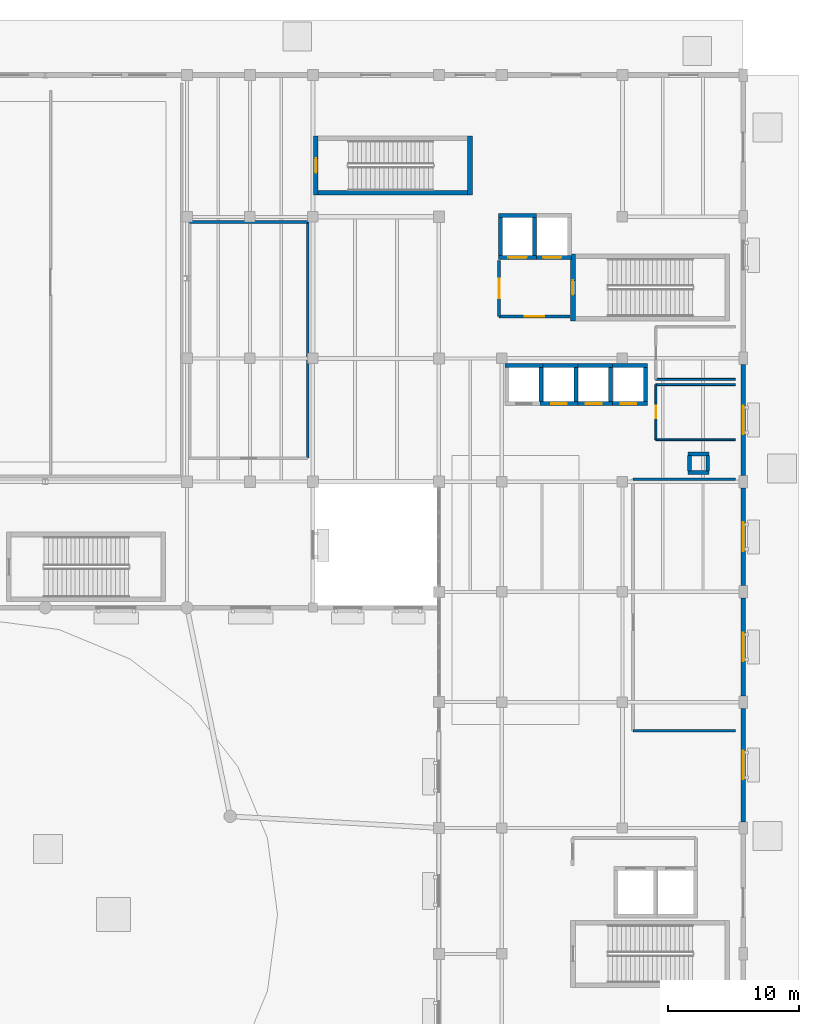
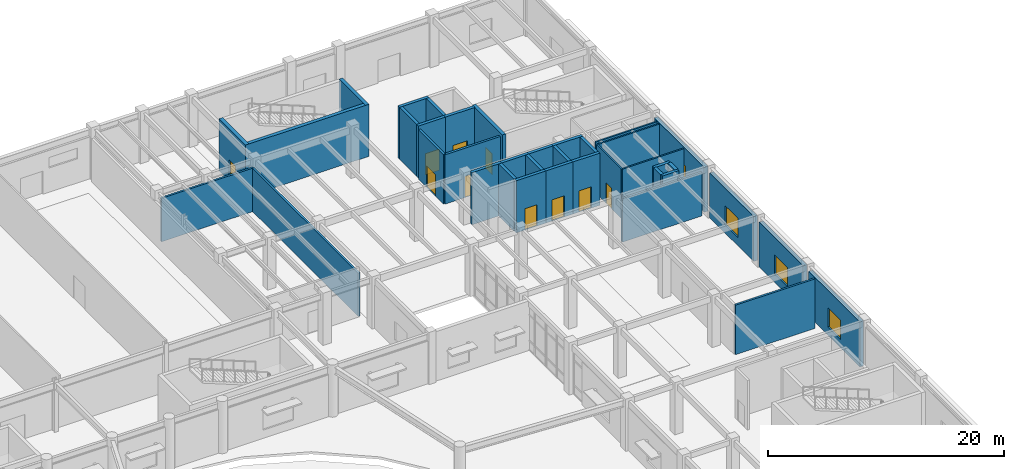
# One storey, part 35 of 54: 38 walls, 10 doors, 4 windows, 14 openings.
"""IFC4 building model written with IfcOpenShell, lengths in metres."""

from ifc_helpers import new_model, si_unit, direction, frame, frame_2d, origin, place, context, subcontext, project, spatial, rectangle, extrude, material, layer, layer_set, type_object, element, fill, save


model = new_model("IFC4")

# Units and contexts
model_context = context("Model", 3, precision=1e-05, world=origin(), true_north=direction((0.0, 1.0)))
body_context = subcontext(model_context, "Body", "Model", "MODEL_VIEW")
ifc_project = project(units=[si_unit("LENGTHUNIT", "METRE"), si_unit("AREAUNIT", "SQUARE_METRE"), si_unit("VOLUMEUNIT", "CUBIC_METRE"), si_unit("PLANEANGLEUNIT", "RADIAN"), si_unit("MASSUNIT", "GRAM", prefix="KILO")], contexts=[model_context])

# Site, building, storey
site_placement = place(None, origin())
site = spatial("IfcSite", under=ifc_project, at=site_placement, CompositionType="ELEMENT")
building_placement = place(site_placement, origin())
building = spatial("IfcBuilding", under=site, at=building_placement, Name="Veldera Park Congress Hotel", CompositionType="ELEMENT")
storey_placement = place(building_placement, origin())
storey = spatial("IfcBuildingStorey", under=building, at=storey_placement, Name="L00", CompositionType="ELEMENT", Elevation=0.0)

# Wall, opening, window
ifc_material_1 = material(Name="Architectural Sandstone Cladding (ASTM C616)", Category="masonry")
ifc_layer_1 = layer(ifc_material_1, 0.360107421875)
ifc_layer_set_1 = layer_set([ifc_layer_1], Name="Architectural Sandstone Cladding (ASTM C616)")
wall_type_1 = type_object("IfcWallType", Name="EW-STONE360", PredefinedType="STANDARD", material=ifc_layer_set_1)
wall_1_placement = place(storey_placement, frame((84.0, 1.072998046875, 0.0), z_axis=(0.0, 0.0, 1.0), x_axis=(0.0, 1.0, 0.0)))
wall_1 = element("IfcWall", 1, at=wall_1_placement, inside=storey, type_object=wall_type_1, Name="L00 Exterior Wall EW3-L00-0122", PredefinedType="STANDARD", context=body_context, shape_type="SweptSolid", body=[
    extrude(rectangle(XDim=8.654052734375, YDim=0.360107421875, at=frame_2d((4.3271484375, 0.0))), origin(), (0.0, 0.0, 1.0), 4.652099609375),
])
opening_1_placement = place(wall_1_placement, frame((3.22705078125, 0.0, 0.85009765625)))
opening_1 = element("IfcOpeningElement", 2, at=opening_1_placement, cuts=wall_1, Name="Opening WIN-2200", PredefinedType="OPENING", context=body_context, shape_type="SweptSolid", body=[
    extrude(rectangle(XDim=2.199951171875, YDim=2.0, at=frame_2d((1.10009765625, 1.0))), frame((0.0, 0.192138671875, 0.0), z_axis=(0.0, -1.0, 0.0), x_axis=(1.0, 0.0, 0.0)), (0.0, 0.0, 1.0), 0.384033203125),
])
ifc_material_2 = material(Name="Low-E Triple Insulating Glass Unit (SHGC 0.22)", Category="glass")
window_type = type_object("IfcWindowType", Name="WIN-2200", PartitioningType="DOUBLE_PANEL_VERTICAL", PredefinedType="WINDOW", material=ifc_material_2)
window_1_placement = place(opening_1_placement, origin())
window_1 = element("IfcWindow", 3, at=window_1_placement, inside=storey, type_object=window_type, Name="L00 Window WIN-2200 131", OverallHeight=2.0, OverallWidth=2.199951171875, PartitioningType="DOUBLE_PANEL_VERTICAL", PredefinedType="WINDOW", context=body_context, shape_type="SweptSolid", body=[
    extrude(rectangle(XDim=2.199951171875, YDim=2.0, at=frame_2d((1.10009765625, 1.0))), frame((0.0, 0.030029296875, 0.0), z_axis=(0.0, -1.0, 0.0), x_axis=(1.0, 0.0, 0.0)), (0.0, 0.0, 1.0), 0.06005859375),
])
fill(opening_1, window_1)

wall_2_placement = place(storey_placement, frame((84.0, 10.673095703125, 0.0), z_axis=(0.0, 0.0, 1.0), x_axis=(0.0, 1.0, 0.0)))
wall_2 = element("IfcWall", 4, at=wall_2_placement, inside=storey, type_object=wall_type_1, Name="L00 Exterior Wall EW3-L00-0123", PredefinedType="STANDARD", context=body_context, shape_type="SweptSolid", body=[
    extrude(rectangle(XDim=7.453857421875, YDim=0.360107421875, at=frame_2d((3.72705078125, 0.0))), origin(), (0.0, 0.0, 1.0), 4.652099609375),
])
opening_2_placement = place(wall_2_placement, frame((2.626953125, 0.0, 0.85009765625)))
opening_2 = element("IfcOpeningElement", 5, at=opening_2_placement, cuts=wall_2, Name="Opening WIN-2200", PredefinedType="OPENING", context=body_context, shape_type="SweptSolid", body=[
    extrude(rectangle(XDim=2.199951171875, YDim=2.0, at=frame_2d((1.10009765625, 1.0))), frame((0.0, 0.192138671875, 0.0), z_axis=(0.0, -1.0, 0.0), x_axis=(1.0, 0.0, 0.0)), (0.0, 0.0, 1.0), 0.384033203125),
])
window_2_placement = place(opening_2_placement, origin())
window_2 = element("IfcWindow", 6, at=window_2_placement, inside=storey, type_object=window_type, Name="L00 Window WIN-2200 132", OverallHeight=2.0, OverallWidth=2.199951171875, PartitioningType="DOUBLE_PANEL_VERTICAL", PredefinedType="WINDOW", context=body_context, shape_type="SweptSolid", body=[
    extrude(rectangle(XDim=2.199951171875, YDim=2.0, at=frame_2d((1.10009765625, 1.0))), frame((0.0, 0.030029296875, 0.0), z_axis=(0.0, -1.0, 0.0), x_axis=(1.0, 0.0, 0.0)), (0.0, 0.0, 1.0), 0.06005859375),
])
fill(opening_2, window_2)

wall_3_placement = place(storey_placement, frame((84.0, 19.072998046875, 0.0), z_axis=(0.0, 0.0, 1.0), x_axis=(0.0, 1.0, 0.0)))
wall_3 = element("IfcWall", 7, at=wall_3_placement, inside=storey, type_object=wall_type_1, Name="L00 Exterior Wall EW3-L00-0124", PredefinedType="STANDARD", context=body_context, shape_type="SweptSolid", body=[
    extrude(rectangle(XDim=7.4541015625, YDim=0.360107421875, at=frame_2d((3.72705078125, 0.0))), origin(), (0.0, 0.0, 1.0), 4.652099609375),
])
opening_3_placement = place(wall_3_placement, frame((2.626953125, 0.0, 0.85009765625)))
opening_3 = element("IfcOpeningElement", 8, at=opening_3_placement, cuts=wall_3, Name="Opening WIN-2200", PredefinedType="OPENING", context=body_context, shape_type="SweptSolid", body=[
    extrude(rectangle(XDim=2.199951171875, YDim=2.0, at=frame_2d((1.10009765625, 1.0))), frame((0.0, 0.192138671875, 0.0), z_axis=(0.0, -1.0, 0.0), x_axis=(1.0, 0.0, 0.0)), (0.0, 0.0, 1.0), 0.384033203125),
])
window_3_placement = place(opening_3_placement, origin())
window_3 = element("IfcWindow", 9, at=window_3_placement, inside=storey, type_object=window_type, Name="L00 Window WIN-2200 133", OverallHeight=2.0, OverallWidth=2.199951171875, PartitioningType="DOUBLE_PANEL_VERTICAL", PredefinedType="WINDOW", context=body_context, shape_type="SweptSolid", body=[
    extrude(rectangle(XDim=2.199951171875, YDim=2.0, at=frame_2d((1.10009765625, 1.0))), frame((0.0, 0.030029296875, 0.0), z_axis=(0.0, -1.0, 0.0), x_axis=(1.0, 0.0, 0.0)), (0.0, 0.0, 1.0), 0.06005859375),
])
fill(opening_3, window_3)

wall_4_placement = place(storey_placement, frame((84.0, 27.472900390625, 0.0), z_axis=(0.0, 0.0, 1.0), x_axis=(0.0, 1.0, 0.0)))
wall_4 = element("IfcWall", 10, at=wall_4_placement, inside=storey, type_object=wall_type_1, Name="L00 Exterior Wall EW3-L00-0125", PredefinedType="STANDARD", context=body_context, shape_type="SweptSolid", body=[
    extrude(rectangle(XDim=8.4541015625, YDim=0.360107421875, at=frame_2d((4.22705078125, 0.0))), origin(), (0.0, 0.0, 1.0), 4.652099609375),
])
opening_4_placement = place(wall_4_placement, frame((3.126953125, 0.0, 0.85009765625)))
opening_4 = element("IfcOpeningElement", 11, at=opening_4_placement, cuts=wall_4, Name="Opening WIN-2200", PredefinedType="OPENING", context=body_context, shape_type="SweptSolid", body=[
    extrude(rectangle(XDim=2.199951171875, YDim=2.0, at=frame_2d((1.10009765625, 1.0))), frame((0.0, 0.192138671875, 0.0), z_axis=(0.0, -1.0, 0.0), x_axis=(1.0, 0.0, 0.0)), (0.0, 0.0, 1.0), 0.384033203125),
])
window_4_placement = place(opening_4_placement, origin())
window_4 = element("IfcWindow", 12, at=window_4_placement, inside=storey, type_object=window_type, Name="L00 Window WIN-2200 134", OverallHeight=2.0, OverallWidth=2.199951171875, PartitioningType="DOUBLE_PANEL_VERTICAL", PredefinedType="WINDOW", context=body_context, shape_type="SweptSolid", body=[
    extrude(rectangle(XDim=2.199951171875, YDim=2.0, at=frame_2d((1.10009765625, 1.0))), frame((0.0, 0.030029296875, 0.0), z_axis=(0.0, -1.0, 0.0), x_axis=(1.0, 0.0, 0.0)), (0.0, 0.0, 1.0), 0.06005859375),
])
fill(opening_4, window_4)

# Walls
ifc_material_3 = material(Name="Fire-Rated Gypsum Board on Cold-Formed Steel Studs", Category="steel")
ifc_layer_2 = layer(ifc_material_3, 0.195068359375)
ifc_layer_set_2 = layer_set([ifc_layer_2], Name="Fire-Rated Gypsum Board on Cold-Formed Steel Studs")
wall_type_2 = type_object("IfcWallType", Name="IW-CORR195", PredefinedType="PARTITIONING", material=ifc_layer_set_2)
wall_5_placement = place(storey_placement, frame((50.800048828125, 28.800048828125, 0.0), z_axis=(0.0, 0.0, 1.0), x_axis=(0.0, 1.0, 0.0)))
element("IfcWall", 13, at=wall_5_placement, inside=storey, type_object=wall_type_2, Name="L00 Partition Wall IW3-L00-00071", PredefinedType="PARTITIONING", context=body_context, shape_type="SweptSolid", body=[
    extrude(rectangle(XDim=18.0, YDim=0.195068359375, at=frame_2d((9.0, 0.0))), origin(), (0.0, 0.0, 1.0), 4.47509765625),
])
wall_6_placement = place(storey_placement, frame((50.800048828125, 46.800048828125, 0.0), z_axis=(0.0, 0.0, 1.0), x_axis=(-1.0, 0.0, 0.0)))
element("IfcWall", 14, at=wall_6_placement, inside=storey, type_object=wall_type_2, Name="L00 Partition Wall IW3-L00-00072", PredefinedType="PARTITIONING", context=body_context, shape_type="SweptSolid", body=[
    extrude(rectangle(XDim=9.0, YDim=0.195068359375, at=frame_2d((4.5, 0.0))), origin(), (0.0, 0.0, 1.0), 4.5029296875),
])
wall_7_placement = place(storey_placement, frame((75.60009765625, 8.0, 0.0), z_axis=(0.0, 0.0, 1.0), x_axis=(1.0, 0.0, 0.0)))
element("IfcWall", 15, at=wall_7_placement, inside=storey, type_object=wall_type_2, Name="L00 Partition Wall IW3-L00-00080", PredefinedType="PARTITIONING", context=body_context, shape_type="SweptSolid", body=[
    extrude(rectangle(XDim=7.7998046875, YDim=0.195068359375, at=frame_2d((3.89990234375, 0.0))), origin(), (0.0, 0.0, 1.0), 5.1201171875),
])
wall_8_placement = place(storey_placement, frame((83.39990234375, 27.199951171875, 0.0), z_axis=(0.0, 0.0, 1.0), x_axis=(-1.0, 0.0, 0.0)))
element("IfcWall", 16, at=wall_8_placement, inside=storey, type_object=wall_type_2, Name="L00 Partition Wall IW3-L00-00081", PredefinedType="PARTITIONING", context=body_context, shape_type="SweptSolid", body=[
    extrude(rectangle(XDim=7.7998046875, YDim=0.195068359375, at=frame_2d((3.89990234375, 0.0))), origin(), (0.0, 0.0, 1.0), 4.4951171875),
])

# Wall, opening, door
ifc_material_4 = material(Name="Concrete f'c 40 MPa (5,800 psi)", Category="concrete")
ifc_layer_3 = layer(ifc_material_4, 0.219970703125)
ifc_layer_set_3 = layer_set([ifc_layer_3], Name="Concrete f'c 40 MPa (5,800 psi)")
wall_type_3 = type_object("IfcWallType", Name="IW-FIRE220", PredefinedType="STANDARD", material=ifc_layer_set_3)
wall_9_placement = place(storey_placement, frame((65.39990234375, 39.60009765625, 0.0), z_axis=(0.0, 0.0, 1.0), x_axis=(1.0, 0.0, 0.0)))
wall_9 = element("IfcWall", 17, at=wall_9_placement, inside=storey, type_object=wall_type_3, Name="L00 Partition Wall IW3-L00-00042", PredefinedType="STANDARD", context=body_context, shape_type="SweptSolid", body=[
    extrude(rectangle(XDim=5.400146484375, YDim=0.219970703125, at=frame_2d((2.7001953125, 0.0))), origin(), (0.0, 0.0, 1.0), 5.1201171875),
])
opening_5_placement = place(wall_9_placement, frame((1.949951171875, 0.0, 0.0)))
opening_5 = element("IfcOpeningElement", 18, at=opening_5_placement, cuts=wall_9, Name="Opening ID-LOB150", PredefinedType="OPENING", context=body_context, shape_type="SweptSolid", body=[
    extrude(rectangle(XDim=1.5, YDim=2.199951171875, at=frame_2d((0.75, 1.10009765625))), frame((0.0, 0.1220703125, 0.0), z_axis=(0.0, -1.0, 0.0), x_axis=(1.0, 0.0, 0.0)), (0.0, 0.0, 1.0), 0.243896484375),
])
ifc_material_5 = material(Name="Hollow Metal Fire-Rated Steel Door", Category="steel")
door_type_1 = type_object("IfcDoorType", Name="ID-LOB150", OperationType="DOUBLE_DOOR_SINGLE_SWING", PredefinedType="DOOR", material=ifc_material_5)
door_1_placement = place(opening_5_placement, origin())
door_1 = element("IfcDoor", 19, at=door_1_placement, inside=storey, type_object=door_type_1, Name="L00 Firefighting Lobby Door ID3-L00-0015 (DR3-ID3-L00-0015)", OperationType="DOUBLE_DOOR_SINGLE_SWING", OverallHeight=2.199951171875, OverallWidth=1.5, PredefinedType="DOOR", context=body_context, shape_type="SweptSolid", body=[
    extrude(rectangle(XDim=1.5, YDim=2.199951171875, at=frame_2d((0.75, 1.10009765625))), frame((0.0, 0.02490234375, 0.0), z_axis=(0.0, -1.0, 0.0), x_axis=(1.0, 0.0, 0.0)), (0.0, 0.0, 1.0), 0.050048828125),
])
fill(opening_5, door_1)

wall_10_placement = place(storey_placement, frame((65.39990234375, 43.85009765625, 0.0), z_axis=(0.0, 0.0, 1.0), x_axis=(0.0, -1.0, 0.0)))
wall_10 = element("IfcWall", 20, at=wall_10_placement, inside=storey, type_object=wall_type_3, Name="L00 Partition Wall IW3-L00-00043", PredefinedType="STANDARD", context=body_context, shape_type="SweptSolid", body=[
    extrude(rectangle(XDim=4.25, YDim=0.219970703125, at=frame_2d((2.125, 0.0))), origin(), (0.0, 0.0, 1.0), 5.1201171875),
])
opening_6_placement = place(wall_10_placement, frame((1.375, 0.0, 0.0)))
opening_6 = element("IfcOpeningElement", 21, at=opening_6_placement, cuts=wall_10, Name="Opening ID-LOB150", PredefinedType="OPENING", context=body_context, shape_type="SweptSolid", body=[
    extrude(rectangle(XDim=1.5, YDim=2.199951171875, at=frame_2d((0.75, 1.10009765625))), frame((0.0, 0.1220703125, 0.0), z_axis=(0.0, -1.0, 0.0), x_axis=(1.0, 0.0, 0.0)), (0.0, 0.0, 1.0), 0.243896484375),
])
door_2_placement = place(opening_6_placement, origin())
door_2 = element("IfcDoor", 22, at=door_2_placement, inside=storey, type_object=door_type_1, Name="L00 Firefighting Lobby Door ID3-L00-0016 (DR3-ID3-L00-0016)", OperationType="DOUBLE_DOOR_SINGLE_SWING", OverallHeight=2.199951171875, OverallWidth=1.5, PredefinedType="DOOR", context=body_context, shape_type="SweptSolid", body=[
    extrude(rectangle(XDim=1.5, YDim=2.199951171875, at=frame_2d((0.75, 1.10009765625))), frame((0.0, 0.02490234375, 0.0), z_axis=(0.0, -1.0, 0.0), x_axis=(1.0, 0.0, 0.0)), (0.0, 0.0, 1.0), 0.050048828125),
])
fill(opening_6, door_2)

# Walls
ifc_layer_4 = layer(ifc_material_3, 0.14990234375)
ifc_layer_set_4 = layer_set([ifc_layer_4], Name="Fire-Rated Gypsum Board on Cold-Formed Steel Studs")
wall_type_4 = type_object("IfcWallType", Name="IW-PLMB150", PredefinedType="PLUMBINGWALL", material=ifc_layer_set_4)
for number, where, z_axis, x_axis, name in (
    (23, (77.35009765625, 30.199951171875, 0.0), (0.0, 0.0, 1.0), (1.0, 0.0, 0.0), "L00 Partition Wall IW3-L00-00084"),
    (24, (83.39990234375, 34.39990234375, 0.0), (0.0, 0.0, 1.0), (-1.0, 0.0, 0.0), "L00 Partition Wall IW3-L00-00085"),
):
    element("IfcWall", number, at=place(storey_placement, frame(where, z_axis=z_axis, x_axis=x_axis)), inside=storey, type_object=wall_type_4, Name=name, PredefinedType="PLUMBINGWALL", context=body_context, shape_type="SweptSolid", body=[
        extrude(rectangle(XDim=6.0498046875, YDim=0.14990234375, at=frame_2d((3.02490234375, 0.0))), origin(), (0.0, 0.0, 1.0), 5.1201171875),
    ])

# Wall, opening, door
wall_11_placement = place(storey_placement, frame((77.35009765625, 34.39990234375, 0.0), z_axis=(0.0, 0.0, 1.0), x_axis=(0.0, -1.0, 0.0)))
wall_11 = element("IfcWall", 25, at=wall_11_placement, inside=storey, type_object=wall_type_4, Name="L00 Partition Wall IW3-L00-00086", PredefinedType="PLUMBINGWALL", context=body_context, shape_type="SweptSolid", body=[
    extrude(rectangle(XDim=4.199951171875, YDim=0.14990234375, at=frame_2d((2.10009765625, 0.0))), origin(), (0.0, 0.0, 1.0), 5.1201171875),
])
opening_7_placement = place(wall_11_placement, frame((1.625, 0.0, 0.0)))
opening_7 = element("IfcOpeningElement", 26, at=opening_7_placement, cuts=wall_11, Name="Opening ID-WC095", PredefinedType="OPENING", context=body_context, shape_type="SweptSolid", body=[
    extrude(rectangle(XDim=0.949951171875, YDim=2.14990234375, at=frame_2d((0.47509765625, 1.074951171875))), frame((0.0, 0.0869140625, 0.0), z_axis=(0.0, -1.0, 0.0), x_axis=(1.0, 0.0, 0.0)), (0.0, 0.0, 1.0), 0.173828125),
])
ifc_material_6 = material(Name="Solid Core White Oak Architectural Door", Category="wood")
door_type_2 = type_object("IfcDoorType", Name="ID-WC095", OperationType="NOTDEFINED", PredefinedType="DOOR", material=ifc_material_6)
door_3_placement = place(opening_7_placement, origin())
door_3 = element("IfcDoor", 27, at=door_3_placement, inside=storey, type_object=door_type_2, Name="L00 Hotel Lobby Male WC Door ID3-L00-0030 (DR3-ID3-L00-0030)", OperationType="SINGLE_SWING_RIGHT", OverallHeight=2.14990234375, OverallWidth=0.949951171875, PredefinedType="DOOR", context=body_context, shape_type="SweptSolid", body=[
    extrude(rectangle(XDim=0.949951171875, YDim=2.14990234375, at=frame_2d((0.47509765625, 1.074951171875))), frame((0.0, 0.02490234375, 0.0), z_axis=(0.0, -1.0, 0.0), x_axis=(1.0, 0.0, 0.0)), (0.0, 0.0, 1.0), 0.050048828125),
])
fill(opening_7, door_3)

# Wall
wall_12_placement = place(storey_placement, frame((77.35009765625, 34.800048828125, 0.0), z_axis=(0.0, 0.0, 1.0), x_axis=(1.0, 0.0, 0.0)))
element("IfcWall", 28, at=wall_12_placement, inside=storey, type_object=wall_type_4, Name="L00 Partition Wall IW3-L00-00087", PredefinedType="PLUMBINGWALL", context=body_context, shape_type="SweptSolid", body=[
    extrude(rectangle(XDim=6.0498046875, YDim=0.14990234375, at=frame_2d((3.02490234375, 0.0))), origin(), (0.0, 0.0, 1.0), 5.1201171875),
])

# Wall, opening, door
ifc_layer_5 = layer(ifc_material_4, 0.35009765625)
ifc_layer_set_5 = layer_set([ifc_layer_5], Name="Concrete f'c 40 MPa (5,800 psi)")
wall_type_5 = type_object("IfcWallType", Name="SW-CORE350", PredefinedType="SHEAR", material=ifc_layer_set_5)
wall_13_placement = place(storey_placement, frame((71.02490234375, 44.35009765625, 0.0), z_axis=(0.0, 0.0, 1.0), x_axis=(0.0, -1.0, 0.0)))
wall_13 = element("IfcWall", 29, at=wall_13_placement, inside=storey, type_object=wall_type_5, Name="Stair ST1 Core Wall L00-W", PredefinedType="SHEAR", context=body_context, shape_type="SweptSolid", body=[
    extrude(rectangle(XDim=5.10009765625, YDim=0.35009765625, at=frame_2d((2.550048828125, 0.0))), origin(), (0.0, 0.0, 1.0), 5.39990234375),
])
opening_8_placement = place(wall_13_placement, frame((2.0, 0.0, 0.0)))
opening_8 = element("IfcOpeningElement", 30, at=opening_8_placement, cuts=wall_13, Name="Opening ID-STAIR110", PredefinedType="OPENING", context=body_context, shape_type="SweptSolid", body=[
    extrude(rectangle(XDim=1.10009765625, YDim=2.199951171875, at=frame_2d((0.550048828125, 1.10009765625))), frame((0.0, 0.18701171875, 0.0), z_axis=(0.0, -1.0, 0.0), x_axis=(1.0, 0.0, 0.0)), (0.0, 0.0, 1.0), 0.3740234375),
])
door_type_3 = type_object("IfcDoorType", Name="ID-STAIR110", OperationType="NOTDEFINED", PredefinedType="DOOR", material=ifc_material_5)
door_4_placement = place(opening_8_placement, origin())
door_4 = element("IfcDoor", 31, at=door_4_placement, inside=storey, type_object=door_type_3, Name="L00 Stair ST1 Fire Door (DR3-SD-ST1-L00)", OperationType="SINGLE_SWING_RIGHT", OverallHeight=2.199951171875, OverallWidth=1.10009765625, PredefinedType="DOOR", context=body_context, shape_type="SweptSolid", body=[
    extrude(rectangle(XDim=1.10009765625, YDim=2.199951171875, at=frame_2d((0.550048828125, 1.10009765625))), frame((0.0, 0.02490234375, 0.0), z_axis=(0.0, -1.0, 0.0), x_axis=(1.0, 0.0, 0.0)), (0.0, 0.0, 1.0), 0.050048828125),
])
fill(opening_8, door_4)

# Walls
wall_14_placement = place(storey_placement, frame((51.25, 49.02490234375, 0.0), z_axis=(0.0, 0.0, 1.0), x_axis=(1.0, 0.0, 0.0)))
element("IfcWall", 32, at=wall_14_placement, inside=storey, type_object=wall_type_5, Name="Stair ST3 Core Wall L00-S", PredefinedType="SHEAR", context=body_context, shape_type="SweptSolid", body=[
    extrude(rectangle(XDim=12.10009765625, YDim=0.35009765625, at=frame_2d((6.050048828125, 0.0))), origin(), (0.0, 0.0, 1.0), 5.39990234375),
])
wall_15_placement = place(storey_placement, frame((63.175048828125, 48.85009765625, 0.0), z_axis=(0.0, 0.0, 1.0), x_axis=(0.0, 1.0, 0.0)))
element("IfcWall", 33, at=wall_15_placement, inside=storey, type_object=wall_type_5, Name="Stair ST3 Core Wall L00-E", PredefinedType="SHEAR", context=body_context, shape_type="SweptSolid", body=[
    extrude(rectangle(XDim=4.5, YDim=0.35009765625, at=frame_2d((2.25, 0.0))), origin(), (0.0, 0.0, 1.0), 5.39990234375),
])

# Wall, opening, door
wall_16_placement = place(storey_placement, frame((51.425048828125, 53.35009765625, 0.0), z_axis=(0.0, 0.0, 1.0), x_axis=(0.0, -1.0, 0.0)))
wall_16 = element("IfcWall", 34, at=wall_16_placement, inside=storey, type_object=wall_type_5, Name="Stair ST3 Core Wall L00-W", PredefinedType="SHEAR", context=body_context, shape_type="SweptSolid", body=[
    extrude(rectangle(XDim=4.5, YDim=0.35009765625, at=frame_2d((2.25, 0.0))), origin(), (0.0, 0.0, 1.0), 5.39990234375),
])
opening_9_placement = place(wall_16_placement, frame((1.699951171875, 0.0, 0.0)))
opening_9 = element("IfcOpeningElement", 35, at=opening_9_placement, cuts=wall_16, Name="Opening ID-STAIR110", PredefinedType="OPENING", context=body_context, shape_type="SweptSolid", body=[
    extrude(rectangle(XDim=1.10009765625, YDim=2.199951171875, at=frame_2d((0.550048828125, 1.10009765625))), frame((0.0, 0.18701171875, 0.0), z_axis=(0.0, -1.0, 0.0), x_axis=(1.0, 0.0, 0.0)), (0.0, 0.0, 1.0), 0.3740234375),
])
door_5_placement = place(opening_9_placement, origin())
door_5 = element("IfcDoor", 36, at=door_5_placement, inside=storey, type_object=door_type_3, Name="L00 Stair ST3 Fire Door (DR3-SD-ST3-L00)", OperationType="SINGLE_SWING_RIGHT", OverallHeight=2.199951171875, OverallWidth=1.10009765625, PredefinedType="DOOR", context=body_context, shape_type="SweptSolid", body=[
    extrude(rectangle(XDim=1.10009765625, YDim=2.199951171875, at=frame_2d((0.550048828125, 1.10009765625))), frame((0.0, 0.02490234375, 0.0), z_axis=(0.0, -1.0, 0.0), x_axis=(1.0, 0.0, 0.0)), (0.0, 0.0, 1.0), 0.050048828125),
])
fill(opening_9, door_5)

# Walls
ifc_layer_6 = layer(ifc_material_4, 0.300048828125)
ifc_layer_set_6 = layer_set([ifc_layer_6], Name="Concrete f'c 40 MPa (5,800 psi)")
wall_type_6 = type_object("IfcWallType", Name="SW-SHFT300", PredefinedType="SHEAR", material=ifc_layer_set_6)
for number, where, z_axis, x_axis, name in (
    (37, (79.800048828125, 27.699951171875, 0.0), (0.0, 0.0, 1.0), (1.0, 0.0, 0.0), "MEP Riser Shaft Wall L00-S"),
    (38, (81.39990234375, 29.10009765625, 0.0), (0.0, 0.0, 1.0), (-1.0, 0.0, 0.0), "MEP Riser Shaft Wall L00-N"),
):
    element("IfcWall", number, at=place(storey_placement, frame(where, z_axis=z_axis, x_axis=x_axis)), inside=storey, type_object=wall_type_6, Name=name, PredefinedType="SHEAR", context=body_context, shape_type="SweptSolid", body=[
        extrude(rectangle(XDim=1.599853515625, YDim=0.300048828125, at=frame_2d((0.7998046875, 0.0))), origin(), (0.0, 0.0, 1.0), 5.1201171875),
    ])
for number, where, z_axis, x_axis, name in (
    (39, (79.89990234375, 29.0, 0.0), (0.0, 0.0, 1.0), (0.0, -1.0, 0.0), "MEP Riser Shaft Wall L00-W"),
    (40, (81.300048828125, 27.800048828125, 0.0), (0.0, 0.0, 1.0), (0.0, 1.0, 0.0), "MEP Riser Shaft Wall L00-E"),
):
    element("IfcWall", number, at=place(storey_placement, frame(where, z_axis=z_axis, x_axis=x_axis)), inside=storey, type_object=wall_type_6, Name=name, PredefinedType="SHEAR", context=body_context, shape_type="SweptSolid", body=[
        extrude(rectangle(XDim=1.199951171875, YDim=0.300048828125, at=frame_2d((0.60009765625, 0.0))), origin(), (0.0, 0.0, 1.0), 5.1201171875),
    ])

# Wall, opening, door
wall_17_placement = place(storey_placement, frame((65.35009765625, 44.10009765625, 0.0), z_axis=(0.0, 0.0, 1.0), x_axis=(1.0, 0.0, 0.0)))
wall_17 = element("IfcWall", 41, at=wall_17_placement, inside=storey, type_object=wall_type_6, Name="Lift FL-01 Shaft Wall L00-S", PredefinedType="SHEAR", context=body_context, shape_type="SweptSolid", body=[
    extrude(rectangle(XDim=2.89990234375, YDim=0.300048828125, at=frame_2d((1.449951171875, 0.0))), origin(), (0.0, 0.0, 1.0), 5.39990234375),
])
opening_10_placement = place(wall_17_placement, frame((0.75, 0.0, 0.0)))
opening_10 = element("IfcOpeningElement", 42, at=opening_10_placement, cuts=wall_17, Name="Opening LD-140", PredefinedType="OPENING", context=body_context, shape_type="SweptSolid", body=[
    extrude(rectangle(XDim=1.39990234375, YDim=2.199951171875, at=frame_2d((0.699951171875, 1.10009765625))), frame((0.0, 0.162109375, 0.0), z_axis=(0.0, -1.0, 0.0), x_axis=(1.0, 0.0, 0.0)), (0.0, 0.0, 1.0), 0.323974609375),
])
door_type_4 = type_object("IfcDoorType", Name="LD-140", OperationType="DOUBLE_DOOR_SLIDING", PredefinedType="DOOR", material=ifc_material_5)
door_6_placement = place(opening_10_placement, origin())
door_6 = element("IfcDoor", 43, at=door_6_placement, inside=storey, type_object=door_type_4, Name="L00 Lift FL-01 Landing Door (DR3-LD-FL-01-L00)", OperationType="DOUBLE_DOOR_SLIDING", OverallHeight=2.199951171875, OverallWidth=1.39990234375, PredefinedType="DOOR", context=body_context, shape_type="SweptSolid", body=[
    extrude(rectangle(XDim=1.39990234375, YDim=2.199951171875, at=frame_2d((0.699951171875, 1.10009765625))), frame((0.0, 0.02490234375, 0.0), z_axis=(0.0, -1.0, 0.0), x_axis=(1.0, 0.0, 0.0)), (0.0, 0.0, 1.0), 0.050048828125),
])
fill(opening_10, door_6)

# Walls
for number, where, z_axis, x_axis, name in (
    (44, (68.25, 47.300048828125, 0.0), (0.0, 0.0, 1.0), (-1.0, 0.0, 0.0), "Lift FL-01 Shaft Wall L00-N"),
    (45, (68.10009765625, 44.25, 0.0), (0.0, 0.0, 1.0), (0.0, 1.0, 0.0), "Lift FL-01 Shaft Wall L00-E"),
    (46, (65.5, 47.14990234375, 0.0), (0.0, 0.0, 1.0), (0.0, -1.0, 0.0), "Lift FL-01 Shaft Wall L00-W"),
):
    element("IfcWall", number, at=place(storey_placement, frame(where, z_axis=z_axis, x_axis=x_axis)), inside=storey, type_object=wall_type_6, Name=name, PredefinedType="SHEAR", context=body_context, shape_type="SweptSolid", body=[
        extrude(rectangle(XDim=2.89990234375, YDim=0.300048828125, at=frame_2d((1.449951171875, 0.0))), origin(), (0.0, 0.0, 1.0), 5.39990234375),
    ])

# Wall, opening, door
wall_18_placement = place(storey_placement, frame((68.0, 44.10009765625, 0.0), z_axis=(0.0, 0.0, 1.0), x_axis=(1.0, 0.0, 0.0)))
wall_18 = element("IfcWall", 47, at=wall_18_placement, inside=storey, type_object=wall_type_6, Name="Lift FL-02 Shaft Wall L00-S", PredefinedType="SHEAR", context=body_context, shape_type="SweptSolid", body=[
    extrude(rectangle(XDim=2.89990234375, YDim=0.300048828125, at=frame_2d((1.449951171875, 0.0))), origin(), (0.0, 0.0, 1.0), 5.39990234375),
])
opening_11_placement = place(wall_18_placement, frame((0.75, 0.0, 0.0)))
opening_11 = element("IfcOpeningElement", 48, at=opening_11_placement, cuts=wall_18, Name="Opening LD-140", PredefinedType="OPENING", context=body_context, shape_type="SweptSolid", body=[
    extrude(rectangle(XDim=1.39990234375, YDim=2.199951171875, at=frame_2d((0.699951171875, 1.10009765625))), frame((0.0, 0.162109375, 0.0), z_axis=(0.0, -1.0, 0.0), x_axis=(1.0, 0.0, 0.0)), (0.0, 0.0, 1.0), 0.323974609375),
])
door_7_placement = place(opening_11_placement, origin())
door_7 = element("IfcDoor", 49, at=door_7_placement, inside=storey, type_object=door_type_4, Name="L00 Lift FL-02 Landing Door (DR3-LD-FL-02-L00)", OperationType="DOUBLE_DOOR_SLIDING", OverallHeight=2.199951171875, OverallWidth=1.39990234375, PredefinedType="DOOR", context=body_context, shape_type="SweptSolid", body=[
    extrude(rectangle(XDim=1.39990234375, YDim=2.199951171875, at=frame_2d((0.699951171875, 1.10009765625))), frame((0.0, 0.02490234375, 0.0), z_axis=(0.0, -1.0, 0.0), x_axis=(1.0, 0.0, 0.0)), (0.0, 0.0, 1.0), 0.050048828125),
])
fill(opening_11, door_7)

# Walls
wall_19_placement = place(storey_placement, frame((68.75, 35.85009765625, 0.0), z_axis=(0.0, 0.0, 1.0), x_axis=(-1.0, 0.0, 0.0)))
element("IfcWall", 50, at=wall_19_placement, inside=storey, type_object=wall_type_6, Name="Lift PL-01 Shaft Wall L00-N", PredefinedType="SHEAR", context=body_context, shape_type="SweptSolid", body=[
    extrude(rectangle(XDim=2.89990234375, YDim=0.300048828125, at=frame_2d((1.449951171875, 0.0))), origin(), (0.0, 0.0, 1.0), 5.39990234375),
])
wall_20_placement = place(storey_placement, frame((68.60009765625, 33.10009765625, 0.0), z_axis=(0.0, 0.0, 1.0), x_axis=(0.0, 1.0, 0.0)))
element("IfcWall", 51, at=wall_20_placement, inside=storey, type_object=wall_type_6, Name="Lift PL-01 Shaft Wall L00-E", PredefinedType="SHEAR", context=body_context, shape_type="SweptSolid", body=[
    extrude(rectangle(XDim=2.599853515625, YDim=0.300048828125, at=frame_2d((1.2998046875, 0.0))), origin(), (0.0, 0.0, 1.0), 5.39990234375),
])

# Wall, opening, door
wall_21_placement = place(storey_placement, frame((68.5, 32.949951171875, 0.0), z_axis=(0.0, 0.0, 1.0), x_axis=(1.0, 0.0, 0.0)))
wall_21 = element("IfcWall", 52, at=wall_21_placement, inside=storey, type_object=wall_type_6, Name="Lift PL-02 Shaft Wall L00-S", PredefinedType="SHEAR", context=body_context, shape_type="SweptSolid", body=[
    extrude(rectangle(XDim=2.89990234375, YDim=0.300048828125, at=frame_2d((1.449951171875, 0.0))), origin(), (0.0, 0.0, 1.0), 5.39990234375),
])
opening_12_placement = place(wall_21_placement, frame((0.85009765625, 0.0, 0.0)))
opening_12 = element("IfcOpeningElement", 53, at=opening_12_placement, cuts=wall_21, Name="Opening LD-120", PredefinedType="OPENING", context=body_context, shape_type="SweptSolid", body=[
    extrude(rectangle(XDim=1.199951171875, YDim=2.199951171875, at=frame_2d((0.60009765625, 1.10009765625))), frame((0.0, 0.162109375, 0.0), z_axis=(0.0, -1.0, 0.0), x_axis=(1.0, 0.0, 0.0)), (0.0, 0.0, 1.0), 0.323974609375),
])
door_type_5 = type_object("IfcDoorType", Name="LD-120", OperationType="DOUBLE_DOOR_SLIDING", PredefinedType="DOOR", material=ifc_material_5)
door_8_placement = place(opening_12_placement, origin())
door_8 = element("IfcDoor", 54, at=door_8_placement, inside=storey, type_object=door_type_5, Name="L00 Lift PL-02 Landing Door (DR3-LD-PL-02-L00)", OperationType="DOUBLE_DOOR_SLIDING", OverallHeight=2.199951171875, OverallWidth=1.199951171875, PredefinedType="DOOR", context=body_context, shape_type="SweptSolid", body=[
    extrude(rectangle(XDim=1.199951171875, YDim=2.199951171875, at=frame_2d((0.60009765625, 1.10009765625))), frame((0.0, 0.02490234375, 0.0), z_axis=(0.0, -1.0, 0.0), x_axis=(1.0, 0.0, 0.0)), (0.0, 0.0, 1.0), 0.050048828125),
])
fill(opening_12, door_8)

# Walls
wall_22_placement = place(storey_placement, frame((71.39990234375, 35.85009765625, 0.0), z_axis=(0.0, 0.0, 1.0), x_axis=(-1.0, 0.0, 0.0)))
element("IfcWall", 55, at=wall_22_placement, inside=storey, type_object=wall_type_6, Name="Lift PL-02 Shaft Wall L00-N", PredefinedType="SHEAR", context=body_context, shape_type="SweptSolid", body=[
    extrude(rectangle(XDim=2.89990234375, YDim=0.300048828125, at=frame_2d((1.449951171875, 0.0))), origin(), (0.0, 0.0, 1.0), 5.39990234375),
])
wall_23_placement = place(storey_placement, frame((71.25, 33.10009765625, 0.0), z_axis=(0.0, 0.0, 1.0), x_axis=(0.0, 1.0, 0.0)))
element("IfcWall", 56, at=wall_23_placement, inside=storey, type_object=wall_type_6, Name="Lift PL-02 Shaft Wall L00-E", PredefinedType="SHEAR", context=body_context, shape_type="SweptSolid", body=[
    extrude(rectangle(XDim=2.599853515625, YDim=0.300048828125, at=frame_2d((1.2998046875, 0.0))), origin(), (0.0, 0.0, 1.0), 5.39990234375),
])

# Wall, opening, door
wall_24_placement = place(storey_placement, frame((71.14990234375, 32.949951171875, 0.0), z_axis=(0.0, 0.0, 1.0), x_axis=(1.0, 0.0, 0.0)))
wall_24 = element("IfcWall", 57, at=wall_24_placement, inside=storey, type_object=wall_type_6, Name="Lift PL-03 Shaft Wall L00-S", PredefinedType="SHEAR", context=body_context, shape_type="SweptSolid", body=[
    extrude(rectangle(XDim=2.900146484375, YDim=0.300048828125, at=frame_2d((1.4501953125, 0.0))), origin(), (0.0, 0.0, 1.0), 5.39990234375),
])
opening_13_placement = place(wall_24_placement, frame((0.85009765625, 0.0, 0.0)))
opening_13 = element("IfcOpeningElement", 58, at=opening_13_placement, cuts=wall_24, Name="Opening LD-120", PredefinedType="OPENING", context=body_context, shape_type="SweptSolid", body=[
    extrude(rectangle(XDim=1.199951171875, YDim=2.199951171875, at=frame_2d((0.60009765625, 1.10009765625))), frame((0.0, 0.162109375, 0.0), z_axis=(0.0, -1.0, 0.0), x_axis=(1.0, 0.0, 0.0)), (0.0, 0.0, 1.0), 0.323974609375),
])
door_9_placement = place(opening_13_placement, origin())
door_9 = element("IfcDoor", 59, at=door_9_placement, inside=storey, type_object=door_type_5, Name="L00 Lift PL-03 Landing Door (DR3-LD-PL-03-L00)", OperationType="DOUBLE_DOOR_SLIDING", OverallHeight=2.199951171875, OverallWidth=1.199951171875, PredefinedType="DOOR", context=body_context, shape_type="SweptSolid", body=[
    extrude(rectangle(XDim=1.199951171875, YDim=2.199951171875, at=frame_2d((0.60009765625, 1.10009765625))), frame((0.0, 0.02490234375, 0.0), z_axis=(0.0, -1.0, 0.0), x_axis=(1.0, 0.0, 0.0)), (0.0, 0.0, 1.0), 0.050048828125),
])
fill(opening_13, door_9)

# Walls
wall_25_placement = place(storey_placement, frame((74.050048828125, 35.85009765625, 0.0), z_axis=(0.0, 0.0, 1.0), x_axis=(-1.0, 0.0, 0.0)))
element("IfcWall", 60, at=wall_25_placement, inside=storey, type_object=wall_type_6, Name="Lift PL-03 Shaft Wall L00-N", PredefinedType="SHEAR", context=body_context, shape_type="SweptSolid", body=[
    extrude(rectangle(XDim=2.900146484375, YDim=0.300048828125, at=frame_2d((1.4501953125, 0.0))), origin(), (0.0, 0.0, 1.0), 5.39990234375),
])
wall_26_placement = place(storey_placement, frame((73.89990234375, 33.10009765625, 0.0), z_axis=(0.0, 0.0, 1.0), x_axis=(0.0, 1.0, 0.0)))
element("IfcWall", 61, at=wall_26_placement, inside=storey, type_object=wall_type_6, Name="Lift PL-03 Shaft Wall L00-E", PredefinedType="SHEAR", context=body_context, shape_type="SweptSolid", body=[
    extrude(rectangle(XDim=2.599853515625, YDim=0.300048828125, at=frame_2d((1.2998046875, 0.0))), origin(), (0.0, 0.0, 1.0), 5.39990234375),
])

# Wall, opening, door
wall_27_placement = place(storey_placement, frame((73.800048828125, 32.949951171875, 0.0), z_axis=(0.0, 0.0, 1.0), x_axis=(1.0, 0.0, 0.0)))
wall_27 = element("IfcWall", 62, at=wall_27_placement, inside=storey, type_object=wall_type_6, Name="Lift PL-04 Shaft Wall L00-S", PredefinedType="SHEAR", context=body_context, shape_type="SweptSolid", body=[
    extrude(rectangle(XDim=2.89990234375, YDim=0.300048828125, at=frame_2d((1.449951171875, 0.0))), origin(), (0.0, 0.0, 1.0), 5.39990234375),
])
opening_14_placement = place(wall_27_placement, frame((0.85009765625, 0.0, 0.0)))
opening_14 = element("IfcOpeningElement", 63, at=opening_14_placement, cuts=wall_27, Name="Opening LD-120", PredefinedType="OPENING", context=body_context, shape_type="SweptSolid", body=[
    extrude(rectangle(XDim=1.199951171875, YDim=2.199951171875, at=frame_2d((0.60009765625, 1.10009765625))), frame((0.0, 0.162109375, 0.0), z_axis=(0.0, -1.0, 0.0), x_axis=(1.0, 0.0, 0.0)), (0.0, 0.0, 1.0), 0.323974609375),
])
door_10_placement = place(opening_14_placement, origin())
door_10 = element("IfcDoor", 64, at=door_10_placement, inside=storey, type_object=door_type_5, Name="L00 Lift PL-04 Landing Door (DR3-LD-PL-04-L00)", OperationType="DOUBLE_DOOR_SLIDING", OverallHeight=2.199951171875, OverallWidth=1.199951171875, PredefinedType="DOOR", context=body_context, shape_type="SweptSolid", body=[
    extrude(rectangle(XDim=1.199951171875, YDim=2.199951171875, at=frame_2d((0.60009765625, 1.10009765625))), frame((0.0, 0.02490234375, 0.0), z_axis=(0.0, -1.0, 0.0), x_axis=(1.0, 0.0, 0.0)), (0.0, 0.0, 1.0), 0.050048828125),
])
fill(opening_14, door_10)

# Walls
wall_28_placement = place(storey_placement, frame((76.699951171875, 35.85009765625, 0.0), z_axis=(0.0, 0.0, 1.0), x_axis=(-1.0, 0.0, 0.0)))
element("IfcWall", 65, at=wall_28_placement, inside=storey, type_object=wall_type_6, Name="Lift PL-04 Shaft Wall L00-N", PredefinedType="SHEAR", context=body_context, shape_type="SweptSolid", body=[
    extrude(rectangle(XDim=2.89990234375, YDim=0.300048828125, at=frame_2d((1.449951171875, 0.0))), origin(), (0.0, 0.0, 1.0), 5.39990234375),
])
wall_29_placement = place(storey_placement, frame((76.550048828125, 33.10009765625, 0.0), z_axis=(0.0, 0.0, 1.0), x_axis=(0.0, 1.0, 0.0)))
element("IfcWall", 66, at=wall_29_placement, inside=storey, type_object=wall_type_6, Name="Lift PL-04 Shaft Wall L00-E", PredefinedType="SHEAR", context=body_context, shape_type="SweptSolid", body=[
    extrude(rectangle(XDim=2.599853515625, YDim=0.300048828125, at=frame_2d((1.2998046875, 0.0))), origin(), (0.0, 0.0, 1.0), 5.39990234375),
])

save(model, "model.ifc")
